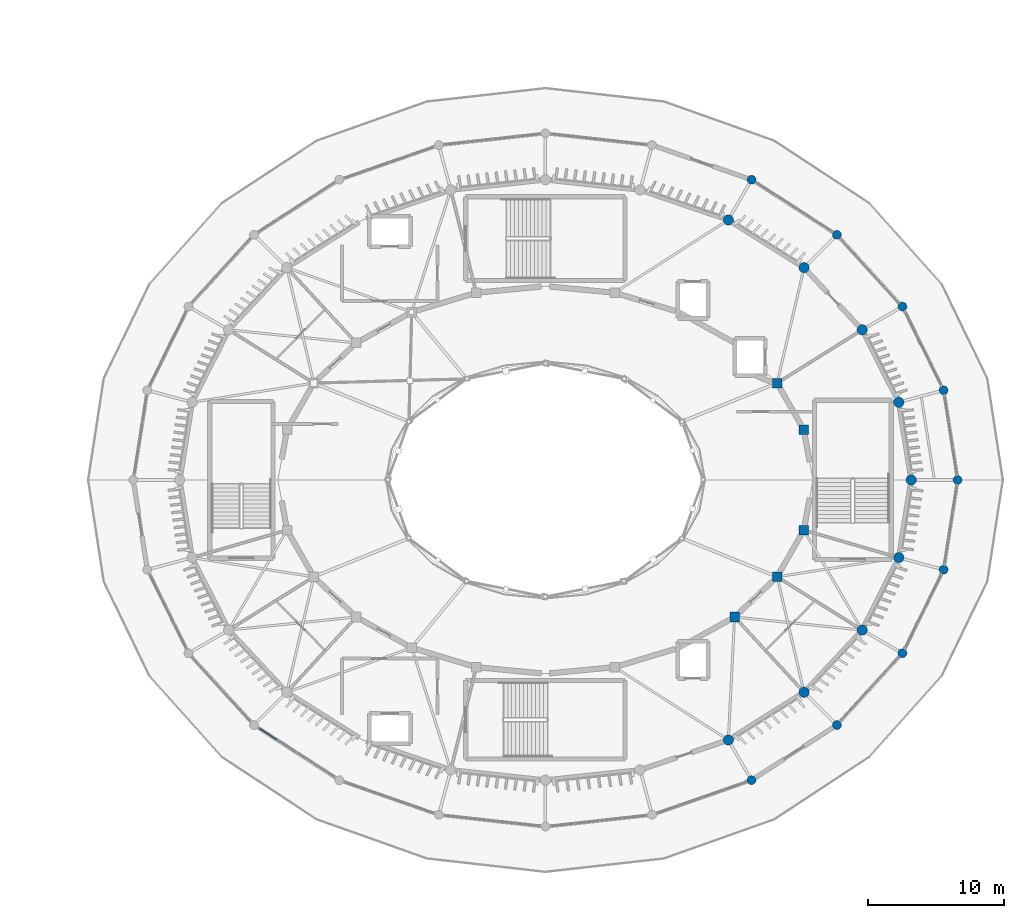
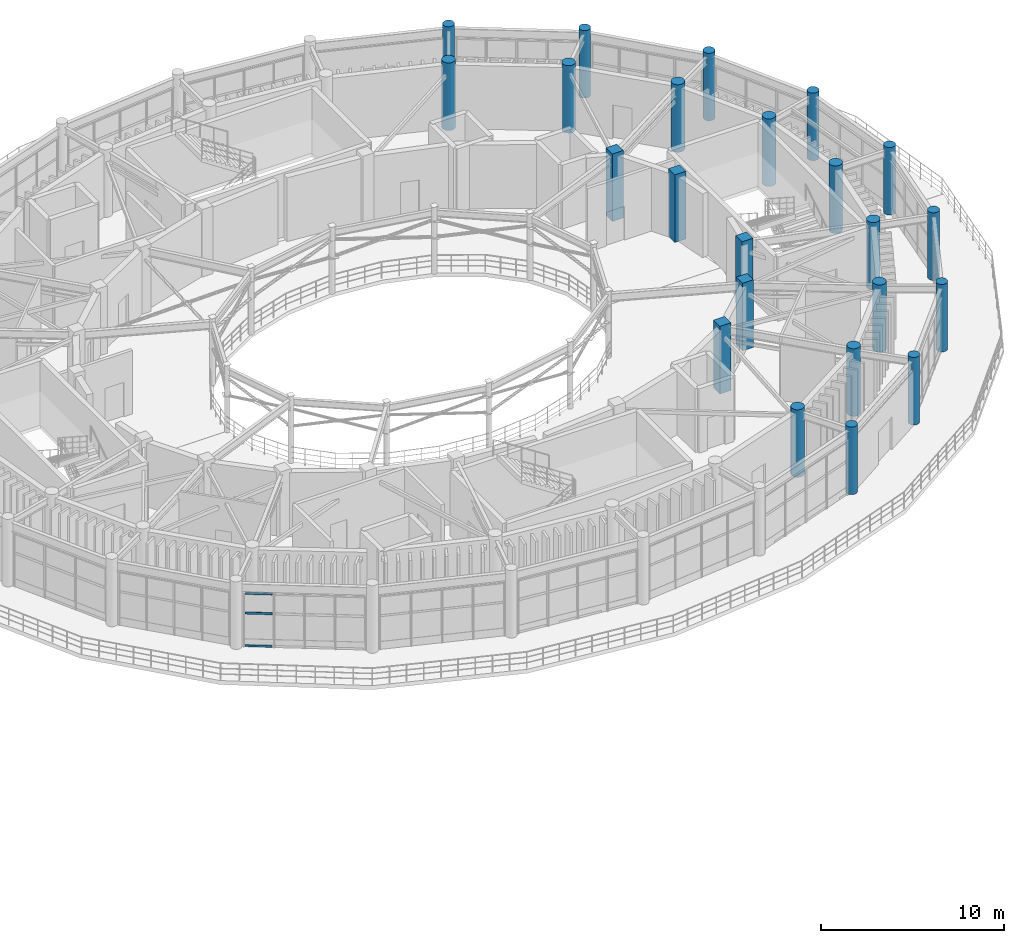
# One storey, part 5 of 45: 23 columns, 3 members, 1 element without a shape of its own.
"""IFC4 building model written with IfcOpenShell, lengths in metres."""

from ifc_helpers import new_model, si_unit, direction, frame, origin, origin_2d, place, context, subcontext, project, spatial, rectangle, circle, extrude, material, material_profile, profile_set, type_object, element, aggregate, save


model = new_model("IFC4")

# Units and contexts
model_context = context("Model", 3, precision=1e-05, world=origin(), true_north=direction((0.0, 1.0)))
body_context = subcontext(model_context, "Body", "Model", "MODEL_VIEW")
ifc_project = project(units=[si_unit("LENGTHUNIT", "METRE"), si_unit("AREAUNIT", "SQUARE_METRE"), si_unit("VOLUMEUNIT", "CUBIC_METRE"), si_unit("PLANEANGLEUNIT", "RADIAN"), si_unit("MASSUNIT", "GRAM", prefix="KILO")], contexts=[model_context])

# Site, building, storey
site_placement = place(None, origin())
site = spatial("IfcSite", under=ifc_project, at=site_placement, CompositionType="ELEMENT")
building_placement = place(site_placement, origin())
building = spatial("IfcBuilding", under=site, at=building_placement, Name="Cinderbank Siding Concert Hall", CompositionType="ELEMENT")
storey_placement = place(building_placement, frame((0.0, 0.0, 19.199951171875)))
storey = spatial("IfcBuildingStorey", under=building, at=storey_placement, Name="L05", CompositionType="ELEMENT", Elevation=19.199951171875)

# Columns
ifc_material_1 = material(Name="Reinforced concrete AS 3600 N50 (50 MPa)", Category="concrete")
ifc_material_profile_1 = material_profile(ifc_material_1, rectangle(XDim=0.699951171875, YDim=0.699951171875, at=origin_2d()), Name="RC-COL-700x700", Category="LoadBearing")
ifc_profile_set_1 = profile_set([ifc_material_profile_1], Name="Reinforced concrete AS 3600 N50 (50 MPa)")
column_type_1 = type_object("IfcColumnType", Name="C-RC700 RC-COL-700x700", PredefinedType="COLUMN", material=ifc_profile_set_1)
for number, where, z_axis, x_axis, name in (
    (1, (140.931884765625, 47.675048828125, 0.0), (0.0, 0.0, 1.0), (1.0, 0.0, 0.0), "L05 Column COL-E1-02"),
    (2, (138.97412109375, 51.10009765625, 0.0), (0.0, 0.0, 1.0), (1.0, 0.0, 0.0), "L05 Column COL-E1-03"),
    (3, (135.85888671875, 33.958984375, 0.0), (0.0, 0.0, 1.0), (1.0, 0.0, 0.0), "L05 Column COL-E1-22"),
    (4, (138.97412109375, 36.89990234375, 0.0), (0.0, 0.0, 1.0), (1.0, 0.0, 0.0), "L05 Column COL-E1-23"),
    (5, (140.931884765625, 40.324951171875, 0.0), (0.0, 0.0, 1.0), (1.0, 0.0, 0.0), "L05 Column COL-E1-24"),
):
    element("IfcColumn", number, at=place(storey_placement, frame(where, z_axis=z_axis, x_axis=x_axis)), inside=storey, type_object=column_type_1, Name=name, PredefinedType="COLUMN", context=body_context, shape_type="SweptSolid", body=[
        extrude(rectangle(XDim=0.699951171875, YDim=0.699951171875, at=origin_2d()), origin(), (0.0, 0.0, 1.0), 4.5),
    ])
ifc_material_profile_2 = material_profile(ifc_material_1, circle(Radius=0.324951171875, at=origin_2d()), Name="RC-COL-650DIA", Category="LoadBearing")
ifc_profile_set_2 = profile_set([ifc_material_profile_2], Name="Reinforced concrete AS 3600 N50 (50 MPa)")
column_type_2 = type_object("IfcColumnType", Name="C-RCD650 RC-COL-650DIA", PredefinedType="COLUMN", material=ifc_profile_set_2)
for number, where, z_axis, x_axis, name in (
    (6, (152.199951171875, 44.0, 0.0), (0.0, 0.0, 1.0), (1.0, 0.0, 0.0), "L05 Column COL-E3-01"),
    (7, (151.1708984375, 50.573974609375, 0.0), (0.0, 0.0, 1.0), (1.0, 0.0, 0.0), "L05 Column COL-E3-02"),
    (8, (148.154052734375, 56.699951171875, 0.0), (0.0, 0.0, 1.0), (1.0, 0.0, 0.0), "L05 Column COL-E3-03"),
    (9, (143.35498046875, 61.9609375, 0.0), (0.0, 0.0, 1.0), (1.0, 0.0, 0.0), "L05 Column COL-E3-04"),
    (10, (137.10009765625, 65.9970703125, 0.0), (0.0, 0.0, 1.0), (1.0, 0.0, 0.0), "L05 Column COL-E3-05"),
    (11, (137.10009765625, 22.0029296875, 0.0), (0.0, 0.0, 1.0), (1.0, 0.0, 0.0), "L05 Column COL-E3-21"),
    (12, (143.35498046875, 26.0400390625, 0.0), (0.0, 0.0, 1.0), (1.0, 0.0, 0.0), "L05 Column COL-E3-22"),
    (13, (148.154052734375, 31.300048828125, 0.0), (0.0, 0.0, 1.0), (1.0, 0.0, 0.0), "L05 Column COL-E3-23"),
    (14, (151.1708984375, 37.426025390625, 0.0), (0.0, 0.0, 1.0), (1.0, 0.0, 0.0), "L05 Column COL-E3-24"),
):
    element("IfcColumn", number, at=place(storey_placement, frame(where, z_axis=z_axis, x_axis=x_axis)), inside=storey, type_object=column_type_2, Name=name, PredefinedType="COLUMN", context=body_context, shape_type="SweptSolid", body=[
        extrude(circle(Radius=0.324951171875, at=origin_2d()), origin(), (0.0, 0.0, 1.0), 4.5),
    ])
ifc_material_profile_3 = material_profile(ifc_material_1, circle(Radius=0.375, at=origin_2d()), Name="RC-COL-750DIA", Category="LoadBearing")
ifc_profile_set_3 = profile_set([ifc_material_profile_3], Name="Reinforced concrete AS 3600 N50 (50 MPa)")
column_type_3 = type_object("IfcColumnType", Name="C-RCD750 RC-COL-750DIA", PredefinedType="COLUMN", material=ifc_profile_set_3)
for number, where, z_axis, x_axis, name in (
    (15, (148.800048828125, 44.0, 0.0), (0.0, 0.0, 1.0), (1.0, 0.0, 0.0), "L05 Column COL-E2-01"),
    (16, (147.886962890625, 49.694091796875, 0.0), (0.0, 0.0, 1.0), (1.0, 0.0, 0.0), "L05 Column COL-E2-02"),
    (17, (145.208984375, 55.0, 0.0), (0.0, 0.0, 1.0), (1.0, 0.0, 0.0), "L05 Column COL-E2-03"),
    (18, (140.950927734375, 59.555908203125, 0.0), (0.0, 0.0, 1.0), (1.0, 0.0, 0.0), "L05 Column COL-E2-04"),
    (19, (135.39990234375, 63.052978515625, 0.0), (0.0, 0.0, 1.0), (1.0, 0.0, 0.0), "L05 Column COL-E2-05"),
    (20, (135.39990234375, 24.947021484375, 0.0), (0.0, 0.0, 1.0), (1.0, 0.0, 0.0), "L05 Column COL-E2-21"),
    (21, (140.950927734375, 28.444091796875, 0.0), (0.0, 0.0, 1.0), (1.0, 0.0, 0.0), "L05 Column COL-E2-22"),
    (22, (145.208984375, 33.0, 0.0), (0.0, 0.0, 1.0), (1.0, 0.0, 0.0), "L05 Column COL-E2-23"),
    (23, (147.886962890625, 38.305908203125, 0.0), (0.0, 0.0, 1.0), (1.0, 0.0, 0.0), "L05 Column COL-E2-24"),
):
    element("IfcColumn", number, at=place(storey_placement, frame(where, z_axis=z_axis, x_axis=x_axis)), inside=storey, type_object=column_type_3, Name=name, PredefinedType="COLUMN", context=body_context, shape_type="SweptSolid", body=[
        extrude(circle(Radius=0.375, at=origin_2d()), origin(), (0.0, 0.0, 1.0), 4.5),
    ])

# Curtain wall, members
ifc_material_2 = material(Name="Anodised aluminium alloy 6063-T6", Category="aluminium")
curtain_wall_type = type_object("IfcCurtainWallType", Name="CW-12 Unitised Acoustic Curtain Wall 5800x3500", PredefinedType="NOTDEFINED", material=ifc_material_2)
curtain_wall_placement = place(storey_placement, origin())
curtain_wall = element("IfcCurtainWall", 24, at=curtain_wall_placement, inside=storey, type_object=curtain_wall_type, Name="L05 Curtain Wall CW-12 #85", PredefinedType="NOTDEFINED")
ifc_material_profile_4 = material_profile(ifc_material_2, rectangle(XDim=0.06494140625, YDim=0.14990234375, at=origin_2d()), Name="ALU-TRAN-65x150", Category="LoadBearing")
ifc_profile_set_4 = profile_set([ifc_material_profile_4], Name="Anodised aluminium alloy 6063-T6")
member_type = type_object("IfcMemberType", Name="CW-TR2 Transom 65x150", PredefinedType="USERDEFINED", material=ifc_profile_set_4)
member_1_placement = place(storey_placement, frame((101.043212890625, 25.782958984375, 0.06005859375), z_axis=(0.840150666065, -0.542353075322, 0.0), x_axis=(0.542353075322, 0.840150666065, 0.0)))
member_1 = element("IfcMember", 25, at=member_1_placement, type_object=member_type, Name="CW-L05-085 Transom 0-0", ObjectType="TRANSOM", PredefinedType="USERDEFINED", context=body_context, shape_type="SweptSolid", body=[
    extrude(rectangle(XDim=0.06494140625, YDim=0.14990234375, at=origin_2d()), origin(), (0.0, 0.0, 1.0), 1.49951171875),
])
member_2_placement = place(storey_placement, frame((101.043212890625, 25.782958984375, 2.23828125), z_axis=(0.840150666065, -0.542353075322, 0.0), x_axis=(0.542353075322, 0.840150666065, 0.0)))
member_2 = element("IfcMember", 26, at=member_2_placement, type_object=member_type, Name="CW-L05-085 Transom 0-1", ObjectType="TRANSOM", PredefinedType="USERDEFINED", context=body_context, shape_type="SweptSolid", body=[
    extrude(rectangle(XDim=0.06494140625, YDim=0.14990234375, at=origin_2d()), origin(), (0.0, 0.0, 1.0), 1.49951171875),
])
member_3_placement = place(storey_placement, frame((101.043212890625, 25.782958984375, 3.550048828125), z_axis=(0.840150666065, -0.542353075322, 0.0), x_axis=(0.542353075322, 0.840150666065, 0.0)))
member_3 = element("IfcMember", 27, at=member_3_placement, type_object=member_type, Name="CW-L05-085 Transom 0-2", ObjectType="TRANSOM", PredefinedType="USERDEFINED", context=body_context, shape_type="SweptSolid", body=[
    extrude(rectangle(XDim=0.06494140625, YDim=0.14990234375, at=origin_2d()), origin(), (0.0, 0.0, 1.0), 1.49951171875),
])
aggregate(curtain_wall, [member_1, member_2, member_3])

save(model, "model.ifc")
